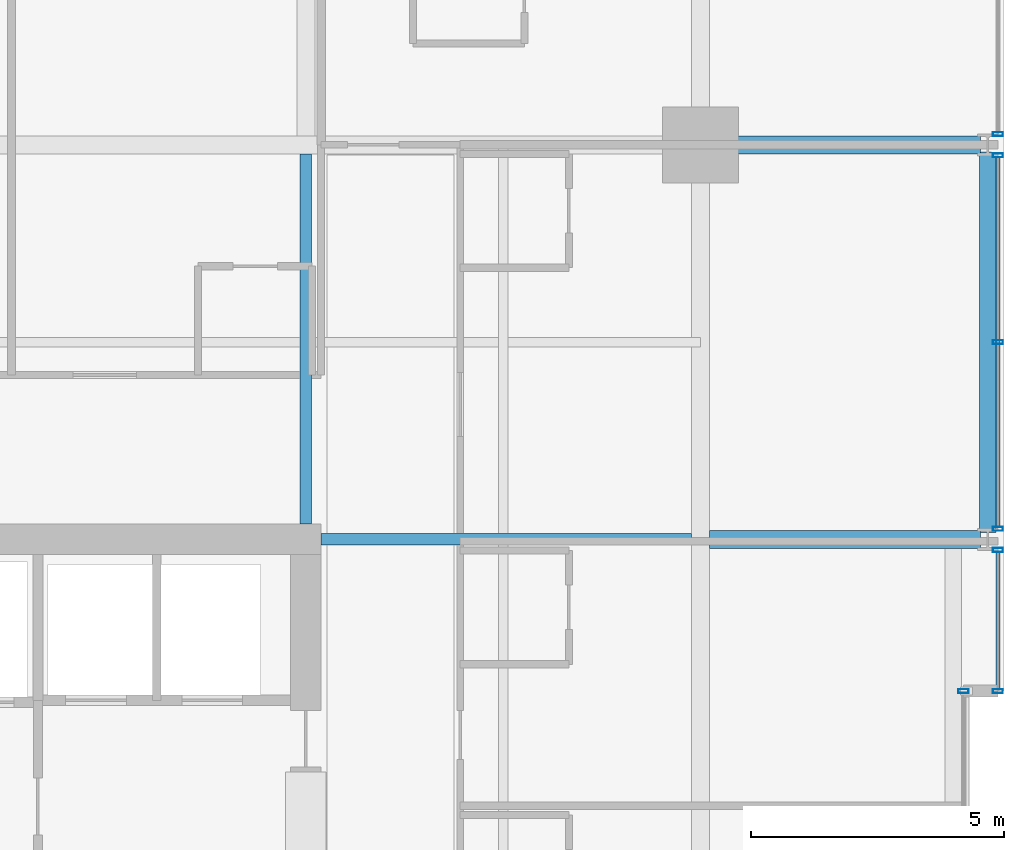
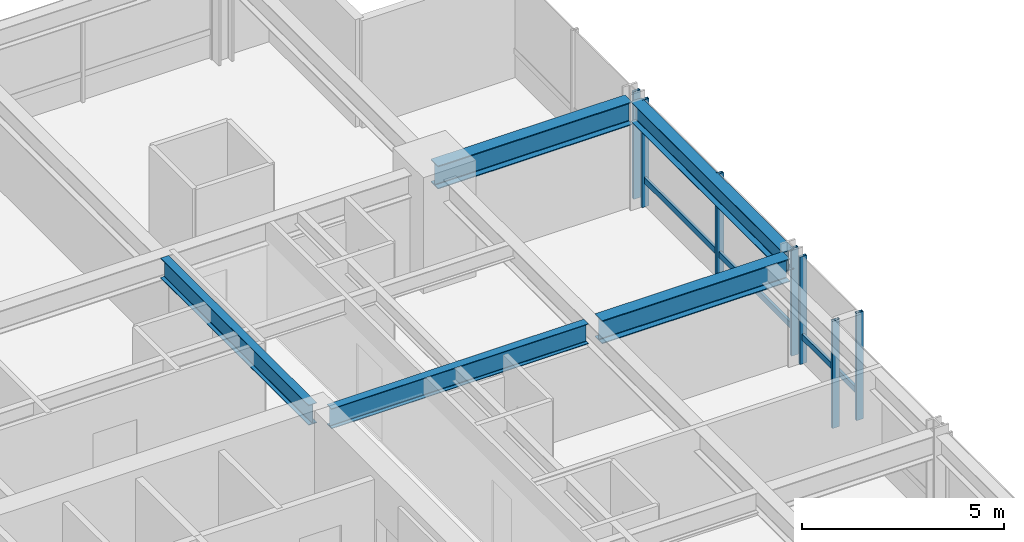
# One storey, part 23 of 35: 9 members, 5 beams, 4 elements without a shape of their own.
"""IFC4 building model written with IfcOpenShell, lengths in metres."""

from ifc_helpers import new_model, si_unit, direction, frame, origin, origin_2d, place, context, subcontext, project, spatial, hollow_rectangle, i_section, extrude, material, layer, layer_set, material_profile, profile_set, type_object, element, aggregate, save


model = new_model("IFC4")

# Units and contexts
model_context = context("Model", 3, precision=1e-05, world=origin(), true_north=direction((0.0, 1.0)))
body_context = subcontext(model_context, "Body", "Model", "MODEL_VIEW")
ifc_project = project(units=[si_unit("LENGTHUNIT", "METRE"), si_unit("AREAUNIT", "SQUARE_METRE"), si_unit("VOLUMEUNIT", "CUBIC_METRE"), si_unit("PLANEANGLEUNIT", "RADIAN"), si_unit("MASSUNIT", "GRAM", prefix="KILO")], contexts=[model_context])

# Site, building, storey
site_placement = place(None, origin())
site = spatial("IfcSite", under=ifc_project, at=site_placement, CompositionType="ELEMENT")
building_placement = place(site_placement, origin())
building = spatial("IfcBuilding", under=site, at=building_placement, Name="Drelvath Grand Hotel", CompositionType="ELEMENT")
storey_placement = place(building_placement, frame((0.0, 0.0, 130.300048828125)))
storey = spatial("IfcBuildingStorey", under=building, at=storey_placement, Name="L33", CompositionType="ELEMENT", Elevation=130.300048828125)

# Curtain wall, member
ifc_material_1 = material(Name="Champagne Bronze Anodised Aluminium Frame", Category="aluminium")
ifc_layer = layer(ifc_material_1, 0.199951171875)
ifc_layer_set = layer_set([ifc_layer], Name="Champagne Bronze Anodised Aluminium Frame")
curtain_wall_type = type_object("IfcCurtainWallType", Name="Stick Curtain Wall CW-03 Champagne Bronze Mid-Rise", PredefinedType="NOTDEFINED", material=ifc_layer_set)
curtain_wall_1_placement = place(storey_placement, origin())
curtain_wall_1 = element("IfcCurtainWall", 1, at=curtain_wall_1_placement, inside=storey, type_object=curtain_wall_type, Name="L33 CW-03 Curtain Wall CW03-L33-EN1", PredefinedType="NOTDEFINED")
ifc_material_profile_1 = material_profile(ifc_material_1, hollow_rectangle(XDim=0.074951171875, YDim=0.179931640625, WallThickness=0.0048828125, at=origin_2d()), Name="HSS180X75X5")
ifc_profile_set_1 = profile_set([ifc_material_profile_1], Name="Champagne Bronze Anodised Aluminium Frame")
member_type_1 = type_object("IfcMemberType", Name="Curtain Wall Horizontal Transom CW-03 HSS180X75X5", PredefinedType="USERDEFINED", material=ifc_profile_set_1)
member_1_placement = place(storey_placement, frame((22.080078125, 35.150634765625, 0.81005859375), z_axis=(0.0, -1.0, 0.0), x_axis=(1.0, 0.0, 0.0)))
member_1 = element("IfcMember", 2, at=member_1_placement, type_object=member_type_1, Name="CW03-L33-EN1 Sill Transom", ObjectType="TRANSOM", PredefinedType="USERDEFINED", context=body_context, shape_type="SweptSolid", body=[
    extrude(hollow_rectangle(XDim=0.074951171875, YDim=0.179931640625, WallThickness=0.0048828125, at=origin_2d()), origin(), (0.0, 0.0, 1.0), 2.710693359375),
])

curtain_wall_2_placement = place(storey_placement, origin())
curtain_wall_2 = element("IfcCurtainWall", 3, at=curtain_wall_2_placement, inside=storey, type_object=curtain_wall_type, Name="L33 CW-03 Curtain Wall CW03-L33-EN2", PredefinedType="NOTDEFINED")
member_2_placement = place(storey_placement, frame((22.080078125, 42.95068359375, 0.81005859375), z_axis=(0.0, -1.0, 0.0), x_axis=(1.0, 0.0, 0.0)))
member_2 = element("IfcMember", 4, at=member_2_placement, type_object=member_type_1, Name="CW03-L33-EN2 Sill Transom", ObjectType="TRANSOM", PredefinedType="USERDEFINED", context=body_context, shape_type="SweptSolid", body=[
    extrude(hollow_rectangle(XDim=0.074951171875, YDim=0.179931640625, WallThickness=0.0048828125, at=origin_2d()), origin(), (0.0, 0.0, 1.0), 7.30126953125),
])

# Member
ifc_material_profile_2 = material_profile(ifc_material_1, hollow_rectangle(XDim=0.080078125, YDim=0.199951171875, WallThickness=0.0048828125, at=origin_2d()), Name="HSS200X80X5")
ifc_profile_set_2 = profile_set([ifc_material_profile_2], Name="Champagne Bronze Anodised Aluminium Frame")
member_type_2 = type_object("IfcMemberType", Name="Curtain Wall Vertical Mullion CW-03 HSS200X80X5", PredefinedType="MULLION", material=ifc_profile_set_2)
member_3_placement = place(storey_placement, frame((22.080078125, 35.190673828125, 0.0), z_axis=(0.0, 0.0, 1.0), x_axis=(0.0, 1.0, 0.0)))
member_3 = element("IfcMember", 5, at=member_3_placement, type_object=member_type_2, Name="CW03-L33-EN1 Mullion 1", PredefinedType="MULLION", context=body_context, shape_type="SweptSolid", body=[
    extrude(hollow_rectangle(XDim=0.080078125, YDim=0.199951171875, WallThickness=0.0048828125, at=origin_2d()), origin(), (0.0, 0.0, 1.0), 3.239990234375),
])

member_4_placement = place(storey_placement, frame((22.080078125, 32.39990234375, 0.0), z_axis=(0.0, 0.0, 1.0), x_axis=(0.0, 1.0, 0.0)))
member_4 = element("IfcMember", 6, at=member_4_placement, type_object=member_type_2, Name="CW03-L33-EN1 Mullion 2", PredefinedType="MULLION", context=body_context, shape_type="SweptSolid", body=[
    extrude(hollow_rectangle(XDim=0.080078125, YDim=0.199951171875, WallThickness=0.0048828125, at=origin_2d()), origin(), (0.0, 0.0, 1.0), 3.239990234375),
])

aggregate(curtain_wall_1, [member_3, member_4, member_1])

member_5_placement = place(storey_placement, frame((22.080078125, 42.990478515625, 0.0), z_axis=(0.0, 0.0, 1.0), x_axis=(0.0, 1.0, 0.0)))
member_5 = element("IfcMember", 7, at=member_5_placement, type_object=member_type_2, Name="CW03-L33-EN2 Mullion 1", PredefinedType="MULLION", context=body_context, shape_type="SweptSolid", body=[
    extrude(hollow_rectangle(XDim=0.080078125, YDim=0.199951171875, WallThickness=0.0048828125, at=origin_2d()), origin(), (0.0, 0.0, 1.0), 3.239990234375),
])

member_6_placement = place(storey_placement, frame((22.080078125, 39.300048828125, 0.0), z_axis=(0.0, 0.0, 1.0), x_axis=(0.0, 1.0, 0.0)))
member_6 = element("IfcMember", 8, at=member_6_placement, type_object=member_type_2, Name="CW03-L33-EN2 Mullion 2", PredefinedType="MULLION", context=body_context, shape_type="SweptSolid", body=[
    extrude(hollow_rectangle(XDim=0.080078125, YDim=0.199951171875, WallThickness=0.0048828125, at=origin_2d()), origin(), (0.0, 0.0, 1.0), 3.239990234375),
])

member_7_placement = place(storey_placement, frame((22.080078125, 35.609375, 0.0), z_axis=(0.0, 0.0, 1.0), x_axis=(0.0, 1.0, 0.0)))
member_7 = element("IfcMember", 9, at=member_7_placement, type_object=member_type_2, Name="CW03-L33-EN2 Mullion 3", PredefinedType="MULLION", context=body_context, shape_type="SweptSolid", body=[
    extrude(hollow_rectangle(XDim=0.080078125, YDim=0.199951171875, WallThickness=0.0048828125, at=origin_2d()), origin(), (0.0, 0.0, 1.0), 3.239990234375),
])

aggregate(curtain_wall_2, [member_5, member_6, member_7, member_2])

# Curtain wall, member
curtain_wall_3_placement = place(storey_placement, origin())
curtain_wall_3 = element("IfcCurtainWall", 10, at=curtain_wall_3_placement, inside=storey, type_object=curtain_wall_type, Name="L33 CW-03 Curtain Wall CW03-L33-EN3", PredefinedType="NOTDEFINED")
member_8_placement = place(storey_placement, frame((22.080078125, 43.409423828125, 0.0), z_axis=(0.0, 0.0, 1.0), x_axis=(0.0, 1.0, 0.0)))
member_8 = element("IfcMember", 11, at=member_8_placement, type_object=member_type_2, Name="CW03-L33-EN3 Mullion 3", PredefinedType="MULLION", context=body_context, shape_type="SweptSolid", body=[
    extrude(hollow_rectangle(XDim=0.080078125, YDim=0.199951171875, WallThickness=0.0048828125, at=origin_2d()), origin(), (0.0, 0.0, 1.0), 3.239990234375),
])
aggregate(curtain_wall_3, [member_8])

curtain_wall_4_placement = place(storey_placement, origin())
curtain_wall_4 = element("IfcCurtainWall", 12, at=curtain_wall_4_placement, inside=storey, type_object=curtain_wall_type, Name="L33 CW-03 Curtain Wall CW03-L33-EM2", PredefinedType="NOTDEFINED")
member_9_placement = place(storey_placement, frame((21.39990234375, 32.39990234375, 0.0), z_axis=(0.0, 0.0, 1.0), x_axis=(0.0, 1.0, 0.0)))
member_9 = element("IfcMember", 13, at=member_9_placement, type_object=member_type_2, Name="CW03-L33-EM2 Mullion 1", PredefinedType="MULLION", context=body_context, shape_type="SweptSolid", body=[
    extrude(hollow_rectangle(XDim=0.080078125, YDim=0.199951171875, WallThickness=0.0048828125, at=origin_2d()), origin(), (0.0, 0.0, 1.0), 3.239990234375),
])
aggregate(curtain_wall_4, [member_9])

# Beams
ifc_material_2 = material(Name="Steel ASTM A992 Gr 50", Category="steel")
ifc_material_profile_3 = material_profile(ifc_material_2, i_section(OverallWidth=0.323974609375, OverallDepth=0.611083984375, WebThickness=0.0126953125, FlangeThickness=0.01904296875, FilletRadius=0.02197265625, at=origin_2d()), Name="W24X104")
ifc_profile_set_3 = profile_set([ifc_material_profile_3], Name="Steel ASTM A992 Gr 50")
beam_type_1 = type_object("IfcBeamType", Name="Perimeter Spandrel Beam W24X104", PredefinedType="SPANDREL", material=ifc_profile_set_3)
beam_1_placement = place(storey_placement, frame((21.8798828125, 35.5400390625, 2.934326171875), z_axis=(0.0, 1.0, 0.0), x_axis=(-1.0, 0.0, 0.0)))
element("IfcBeam", 14, at=beam_1_placement, inside=storey, type_object=beam_type_1, Name="L33 Spandrel East N", PredefinedType="SPANDREL", context=body_context, shape_type="SweptSolid", body=[
    extrude(i_section(OverallWidth=0.323974609375, OverallDepth=0.611083984375, WebThickness=0.0126953125, FlangeThickness=0.01904296875, FilletRadius=0.02197265625, at=origin_2d()), origin(), (0.0, 0.0, 1.0), 7.52001953125),
])
ifc_material_profile_4 = material_profile(ifc_material_2, i_section(OverallWidth=0.228271484375, OverallDepth=0.607666015625, WebThickness=0.01123046875, FlangeThickness=0.017333984375, FilletRadius=0.02001953125, at=origin_2d()), Name="W24X76")
ifc_profile_set_4 = profile_set([ifc_material_profile_4], Name="Steel ASTM A992 Gr 50")
beam_type_2 = type_object("IfcBeamType", Name="Primary Floor Girder W24X76", PredefinedType="BEAM", material=ifc_profile_set_4)
for number, where, z_axis, x_axis, name in (
    (15, (8.699951171875, 35.39990234375, 2.93603515625), (1.0, 0.0, 0.0), (0.0, 1.0, 0.0), "L33 East Core Tie F"),
    (16, (8.39990234375, 35.699951171875, 2.93603515625), (0.0, 1.0, 0.0), (-1.0, 0.0, 0.0), "L33 North Core Tie 6"),
):
    element("IfcBeam", number, at=place(storey_placement, frame(where, z_axis=z_axis, x_axis=x_axis)), inside=storey, type_object=beam_type_2, Name=name, PredefinedType="BEAM", context=body_context, shape_type="SweptSolid", body=[
        extrude(i_section(OverallWidth=0.228271484375, OverallDepth=0.607666015625, WebThickness=0.01123046875, FlangeThickness=0.017333984375, FilletRadius=0.02001953125, at=origin_2d()), origin(), (0.0, 0.0, 1.0), 7.32275390625),
    ])
ifc_material_profile_5 = material_profile(ifc_material_2, i_section(OverallWidth=0.354736328125, OverallDepth=0.695556640625, WebThickness=0.015380859375, FlangeThickness=0.025146484375, FilletRadius=0.02392578125, at=origin_2d()), Name="W27X146")
ifc_profile_set_5 = profile_set([ifc_material_profile_5], Name="Steel ASTM A992 Gr 50")
beam_type_3 = type_object("IfcBeamType", Name="Primary Floor Girder W27X146", PredefinedType="BEAM", material=ifc_profile_set_5)
beam_2_placement = place(storey_placement, frame((16.199951171875, 43.199951171875, 2.892333984375), z_axis=(1.0, 0.0, 0.0), x_axis=(0.0, 1.0, 0.0)))
element("IfcBeam", 17, at=beam_2_placement, inside=storey, type_object=beam_type_3, Name="L33 East Grid Girder G", PredefinedType="BEAM", context=body_context, shape_type="SweptSolid", body=[
    extrude(i_section(OverallWidth=0.354736328125, OverallDepth=0.695556640625, WebThickness=0.015380859375, FlangeThickness=0.025146484375, FilletRadius=0.02392578125, at=origin_2d()), origin(), (0.0, 0.0, 1.0), 5.5400390625),
])
beam_3_placement = place(storey_placement, frame((16.37744140625, 35.39990234375, 2.892333984375), z_axis=(1.0, 0.0, 0.0), x_axis=(0.0, 1.0, 0.0)))
element("IfcBeam", 18, at=beam_3_placement, inside=storey, type_object=beam_type_3, Name="L33 East Wing Girder F", PredefinedType="BEAM", context=body_context, shape_type="SweptSolid", body=[
    extrude(i_section(OverallWidth=0.354736328125, OverallDepth=0.695556640625, WebThickness=0.015380859375, FlangeThickness=0.025146484375, FilletRadius=0.02392578125, at=origin_2d()), origin(), (0.0, 0.0, 1.0), 5.362548828125),
])

save(model, "model.ifc")
